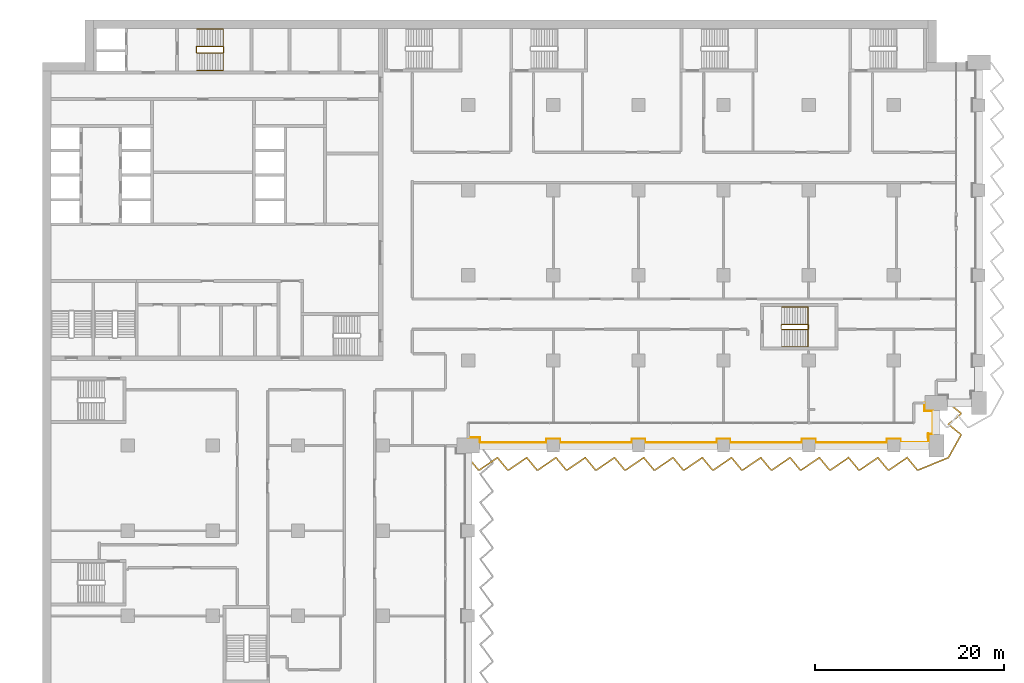
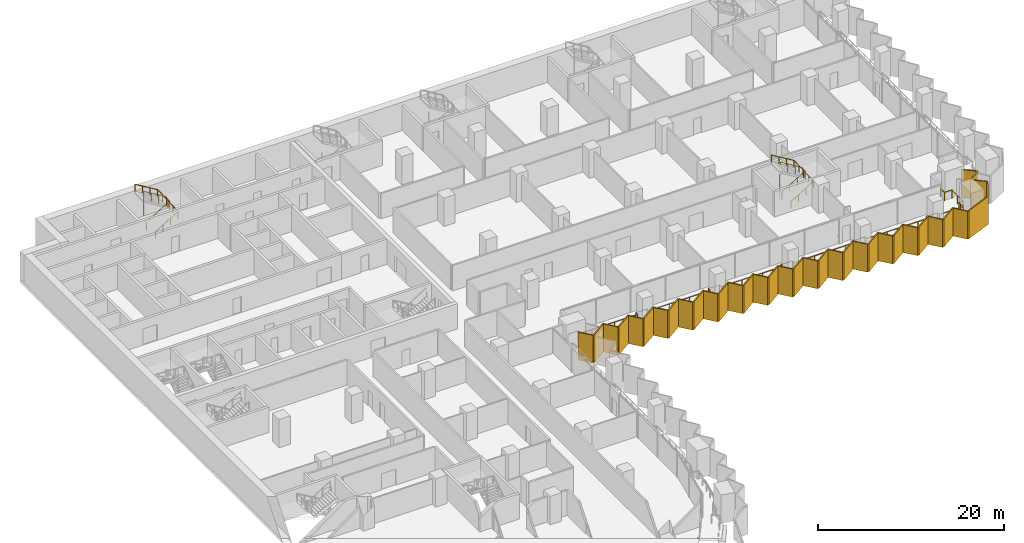
# One storey, part 26 of 28: 5 railings, 1 shading device.
"""IFC4 building model written with IfcOpenShell, lengths in metres."""

from ifc_helpers import new_model, si_unit, direction, frame, origin, origin_2d, place, context, subcontext, project, spatial, polyline, circle, outline, extrude, material, layer, layer_set, type_object, element, save


model = new_model("IFC4")

# Units and contexts
model_context = context("Model", 3, precision=1e-05, world=origin(), true_north=direction((0.0, 1.0)))
body_context = subcontext(model_context, "Body", "Model", "MODEL_VIEW")
ifc_project = project(units=[si_unit("LENGTHUNIT", "METRE"), si_unit("AREAUNIT", "SQUARE_METRE"), si_unit("VOLUMEUNIT", "CUBIC_METRE"), si_unit("PLANEANGLEUNIT", "RADIAN"), si_unit("MASSUNIT", "GRAM", prefix="KILO")], contexts=[model_context])

# Site, building, storey
site_placement = place(None, origin())
site = spatial("IfcSite", under=ifc_project, at=site_placement, CompositionType="ELEMENT")
building_placement = place(site_placement, origin())
building = spatial("IfcBuilding", under=site, at=building_placement, Name="Hunhe Ridgeline Campus", CompositionType="ELEMENT")
storey_placement = place(building_placement, frame((0.0, 0.0, 58.0)))
storey = spatial("IfcBuildingStorey", under=building, at=storey_placement, Name="L13", CompositionType="ELEMENT", Elevation=58.0)

# Railing
ifc_material_1 = material(Name="Steel Q355", Category="steel")
railing_type_1 = type_object("IfcRailingType", Name="Loggia guard 1100 Steel Q355", PredefinedType="GUARDRAIL", material=ifc_material_1)
railing_1_placement = place(storey_placement, frame((45.0, 54.8701171875, 0.0)))
element("IfcRailing", 1, at=railing_1_placement, inside=storey, type_object=railing_type_1, Name="Loggia guard 2", PredefinedType="GUARDRAIL", context=body_context, shape_type="SweptSolid", body=[
    extrude(circle(Radius=0.02392578125, at=origin_2d()), frame((0.0, 0.0, 1.076171875), z_axis=(1.0, 0.0, 0.0), x_axis=(0.0, 1.0, 0.0)), (0.0, 0.0, 1.0), 1.25),
    extrude(circle(Radius=0.02392578125, at=origin_2d()), frame((1.25, 0.0, 1.076171875), z_axis=(0.0, -1.0, 0.0), x_axis=(1.0, 0.0, 0.0)), (0.0, 0.0, 1.0), 0.52001953125),
    extrude(circle(Radius=0.02392578125, at=origin_2d()), frame((1.25, -0.52001953125, 1.076171875), z_axis=(1.0, 0.0, 0.0), x_axis=(0.0, 1.0, 0.0)), (0.0, 0.0, 1.0), 7.050048828125),
    extrude(circle(Radius=0.02392578125, at=origin_2d()), frame((8.300048828125, -0.52001953125, 1.076171875), z_axis=(0.0, 1.0, 0.0), x_axis=(-1.0, 0.0, 0.0)), (0.0, 0.0, 1.0), 0.369873046875),
    extrude(circle(Radius=0.02392578125, at=origin_2d()), frame((8.300048828125, -0.150146484375, 1.076171875), z_axis=(1.0, 0.0, 0.0), x_axis=(0.0, 1.0, 0.0)), (0.0, 0.0, 1.0), 1.39990234375),
    extrude(circle(Radius=0.02392578125, at=origin_2d()), frame((9.699951171875, -0.150146484375, 1.076171875), z_axis=(0.0, -1.0, 0.0), x_axis=(1.0, 0.0, 0.0)), (0.0, 0.0, 1.0), 0.369873046875),
    extrude(circle(Radius=0.02392578125, at=origin_2d()), frame((9.699951171875, -0.52001953125, 1.076171875), z_axis=(1.0, 0.0, 0.0), x_axis=(0.0, 1.0, 0.0)), (0.0, 0.0, 1.0), 7.60009765625),
    extrude(circle(Radius=0.02392578125, at=origin_2d()), frame((17.300048828125, -0.52001953125, 1.076171875), z_axis=(0.0, 1.0, 0.0), x_axis=(-1.0, 0.0, 0.0)), (0.0, 0.0, 1.0), 0.369873046875),
    extrude(circle(Radius=0.02392578125, at=origin_2d()), frame((17.300048828125, -0.150146484375, 1.076171875), z_axis=(1.0, 0.0, 0.0), x_axis=(0.0, 1.0, 0.0)), (0.0, 0.0, 1.0), 1.39990234375),
    extrude(circle(Radius=0.02392578125, at=origin_2d()), frame((18.699951171875, -0.150146484375, 1.076171875), z_axis=(0.0, -1.0, 0.0), x_axis=(1.0, 0.0, 0.0)), (0.0, 0.0, 1.0), 0.369873046875),
    extrude(circle(Radius=0.02392578125, at=origin_2d()), frame((18.699951171875, -0.52001953125, 1.076171875), z_axis=(1.0, 0.0, 0.0), x_axis=(0.0, 1.0, 0.0)), (0.0, 0.0, 1.0), 7.60009765625),
    extrude(circle(Radius=0.02392578125, at=origin_2d()), frame((26.300048828125, -0.52001953125, 1.076171875), z_axis=(0.0, 1.0, 0.0), x_axis=(-1.0, 0.0, 0.0)), (0.0, 0.0, 1.0), 0.369873046875),
    extrude(circle(Radius=0.02392578125, at=origin_2d()), frame((26.300048828125, -0.150146484375, 1.076171875), z_axis=(1.0, 0.0, 0.0), x_axis=(0.0, 1.0, 0.0)), (0.0, 0.0, 1.0), 1.39990234375),
    extrude(circle(Radius=0.02392578125, at=origin_2d()), frame((27.699951171875, -0.150146484375, 1.076171875), z_axis=(0.0, -1.0, 0.0), x_axis=(1.0, 0.0, 0.0)), (0.0, 0.0, 1.0), 0.369873046875),
    extrude(circle(Radius=0.02392578125, at=origin_2d()), frame((27.699951171875, -0.52001953125, 1.076171875), z_axis=(1.0, 0.0, 0.0), x_axis=(0.0, 1.0, 0.0)), (0.0, 0.0, 1.0), 7.60009765625),
    extrude(circle(Radius=0.02392578125, at=origin_2d()), frame((35.300048828125, -0.52001953125, 1.076171875), z_axis=(0.0, 1.0, 0.0), x_axis=(-1.0, 0.0, 0.0)), (0.0, 0.0, 1.0), 0.369873046875),
    extrude(circle(Radius=0.02392578125, at=origin_2d()), frame((35.300048828125, -0.150146484375, 1.076171875), z_axis=(1.0, 0.0, 0.0), x_axis=(0.0, 1.0, 0.0)), (0.0, 0.0, 1.0), 1.39990234375),
    extrude(circle(Radius=0.02392578125, at=origin_2d()), frame((36.699951171875, -0.150146484375, 1.076171875), z_axis=(0.0, -1.0, 0.0), x_axis=(1.0, 0.0, 0.0)), (0.0, 0.0, 1.0), 0.369873046875),
    extrude(circle(Radius=0.02392578125, at=origin_2d()), frame((36.699951171875, -0.52001953125, 1.076171875), z_axis=(1.0, 0.0, 0.0), x_axis=(0.0, 1.0, 0.0)), (0.0, 0.0, 1.0), 7.60009765625),
    extrude(circle(Radius=0.02392578125, at=origin_2d()), frame((44.300048828125, -0.52001953125, 1.076171875), z_axis=(0.0, 1.0, 0.0), x_axis=(-1.0, 0.0, 0.0)), (0.0, 0.0, 1.0), 0.369873046875),
    extrude(circle(Radius=0.02392578125, at=origin_2d()), frame((44.300048828125, -0.150146484375, 1.076171875), z_axis=(1.0, 0.0, 0.0), x_axis=(0.0, 1.0, 0.0)), (0.0, 0.0, 1.0), 1.39990234375),
    extrude(circle(Radius=0.02392578125, at=origin_2d()), frame((45.699951171875, -0.150146484375, 1.076171875), z_axis=(0.0, -1.0, 0.0), x_axis=(1.0, 0.0, 0.0)), (0.0, 0.0, 1.0), 0.369873046875),
    extrude(circle(Radius=0.02392578125, at=origin_2d()), frame((45.699951171875, -0.52001953125, 1.076171875), z_axis=(1.0, 0.0, 0.0), x_axis=(0.0, 1.0, 0.0)), (0.0, 0.0, 1.0), 2.949951171875),
    extrude(circle(Radius=0.02392578125, at=origin_2d()), frame((48.64990234375, -0.52001953125, 1.076171875), z_axis=(0.0, 1.0, 0.0), x_axis=(-1.0, 0.0, 0.0)), (0.0, 0.0, 1.0), 0.919921875),
    extrude(circle(Radius=0.02392578125, at=origin_2d()), frame((48.64990234375, 0.39990234375, 1.076171875), z_axis=(-0.049998438503, -0.998749295943, 0.0), x_axis=(0.998749295943, -0.049998438503, 0.0)), (0.0, 0.0, 1.0), 0.400390625),
    extrude(circle(Radius=0.02392578125, at=origin_2d()), frame((48.6298828125, 0.0, 1.076171875), z_axis=(0.0, 1.0, 0.0), x_axis=(-1.0, 0.0, 0.0)), (0.0, 0.0, 1.0), 0.3798828125),
    extrude(circle(Radius=0.02392578125, at=origin_2d()), frame((48.6298828125, 0.3798828125, 1.076171875), z_axis=(1.0, 0.0, 0.0), x_axis=(0.0, 1.0, 0.0)), (0.0, 0.0, 1.0), 0.52001953125),
    extrude(circle(Radius=0.02392578125, at=origin_2d()), frame((49.14990234375, 0.3798828125, 1.076171875), z_axis=(0.0, 1.0, 0.0), x_axis=(-1.0, 0.0, 0.0)), (0.0, 0.0, 1.0), 2.39990234375),
    extrude(circle(Radius=0.02392578125, at=origin_2d()), frame((49.14990234375, 2.77978515625, 1.076171875), z_axis=(-1.0, 0.0, 0.0), x_axis=(0.0, -1.0, 0.0)), (0.0, 0.0, 1.0), 0.919921875),
    extrude(circle(Radius=0.02392578125, at=origin_2d()), frame((48.22998046875, 2.77978515625, 1.076171875), z_axis=(0.0, 1.0, 0.0), x_axis=(-1.0, 0.0, 0.0)), (0.0, 0.0, 1.0), 0.85009765625),
    extrude(circle(Radius=0.02099609375, at=origin_2d()), origin(), (0.0, 0.0, 1.0), 1.052001953125),
    extrude(circle(Radius=0.02099609375, at=origin_2d()), frame((1.25, 0.0, 0.0)), (0.0, 0.0, 1.0), 1.052001953125),
    extrude(circle(Radius=0.02099609375, at=origin_2d()), frame((1.25, -0.52001953125, 0.0)), (0.0, 0.0, 1.0), 1.052001953125),
    extrude(circle(Radius=0.02099609375, at=origin_2d()), frame((2.659912109375, -0.52001953125, 0.0)), (0.0, 0.0, 1.0), 1.052001953125),
    extrude(circle(Radius=0.02099609375, at=origin_2d()), frame((4.070068359375, -0.52001953125, 0.0)), (0.0, 0.0, 1.0), 1.052001953125),
    extrude(circle(Radius=0.02099609375, at=origin_2d()), frame((5.47998046875, -0.52001953125, 0.0)), (0.0, 0.0, 1.0), 1.052001953125),
    extrude(circle(Radius=0.02099609375, at=origin_2d()), frame((6.89013671875, -0.52001953125, 0.0)), (0.0, 0.0, 1.0), 1.052001953125),
    extrude(circle(Radius=0.02099609375, at=origin_2d()), frame((8.300048828125, -0.52001953125, 0.0)), (0.0, 0.0, 1.0), 1.052001953125),
    extrude(circle(Radius=0.02099609375, at=origin_2d()), frame((8.300048828125, -0.150146484375, 0.0)), (0.0, 0.0, 1.0), 1.052001953125),
    extrude(circle(Radius=0.02099609375, at=origin_2d()), frame((9.699951171875, -0.150146484375, 0.0)), (0.0, 0.0, 1.0), 1.052001953125),
    extrude(circle(Radius=0.02099609375, at=origin_2d()), frame((9.699951171875, -0.52001953125, 0.0)), (0.0, 0.0, 1.0), 1.052001953125),
    extrude(circle(Radius=0.02099609375, at=origin_2d()), frame((10.966552734375, -0.52001953125, 0.0)), (0.0, 0.0, 1.0), 1.052001953125),
    extrude(circle(Radius=0.02099609375, at=origin_2d()), frame((12.2333984375, -0.52001953125, 0.0)), (0.0, 0.0, 1.0), 1.052001953125),
    extrude(circle(Radius=0.02099609375, at=origin_2d()), frame((13.5, -0.52001953125, 0.0)), (0.0, 0.0, 1.0), 1.052001953125),
    extrude(circle(Radius=0.02099609375, at=origin_2d()), frame((14.7666015625, -0.52001953125, 0.0)), (0.0, 0.0, 1.0), 1.052001953125),
    extrude(circle(Radius=0.02099609375, at=origin_2d()), frame((16.033447265625, -0.52001953125, 0.0)), (0.0, 0.0, 1.0), 1.052001953125),
    extrude(circle(Radius=0.02099609375, at=origin_2d()), frame((17.300048828125, -0.52001953125, 0.0)), (0.0, 0.0, 1.0), 1.052001953125),
    extrude(circle(Radius=0.02099609375, at=origin_2d()), frame((17.300048828125, -0.150146484375, 0.0)), (0.0, 0.0, 1.0), 1.052001953125),
    extrude(circle(Radius=0.02099609375, at=origin_2d()), frame((18.699951171875, -0.150146484375, 0.0)), (0.0, 0.0, 1.0), 1.052001953125),
    extrude(circle(Radius=0.02099609375, at=origin_2d()), frame((18.699951171875, -0.52001953125, 0.0)), (0.0, 0.0, 1.0), 1.052001953125),
    extrude(circle(Radius=0.02099609375, at=origin_2d()), frame((19.966552734375, -0.52001953125, 0.0)), (0.0, 0.0, 1.0), 1.052001953125),
    extrude(circle(Radius=0.02099609375, at=origin_2d()), frame((21.2333984375, -0.52001953125, 0.0)), (0.0, 0.0, 1.0), 1.052001953125),
    extrude(circle(Radius=0.02099609375, at=origin_2d()), frame((22.5, -0.52001953125, 0.0)), (0.0, 0.0, 1.0), 1.052001953125),
    extrude(circle(Radius=0.02099609375, at=origin_2d()), frame((23.7666015625, -0.52001953125, 0.0)), (0.0, 0.0, 1.0), 1.052001953125),
    extrude(circle(Radius=0.02099609375, at=origin_2d()), frame((25.033447265625, -0.52001953125, 0.0)), (0.0, 0.0, 1.0), 1.052001953125),
    extrude(circle(Radius=0.02099609375, at=origin_2d()), frame((26.300048828125, -0.52001953125, 0.0)), (0.0, 0.0, 1.0), 1.052001953125),
    extrude(circle(Radius=0.02099609375, at=origin_2d()), frame((26.300048828125, -0.150146484375, 0.0)), (0.0, 0.0, 1.0), 1.052001953125),
    extrude(circle(Radius=0.02099609375, at=origin_2d()), frame((27.699951171875, -0.150146484375, 0.0)), (0.0, 0.0, 1.0), 1.052001953125),
    extrude(circle(Radius=0.02099609375, at=origin_2d()), frame((27.699951171875, -0.52001953125, 0.0)), (0.0, 0.0, 1.0), 1.052001953125),
    extrude(circle(Radius=0.02099609375, at=origin_2d()), frame((28.966552734375, -0.52001953125, 0.0)), (0.0, 0.0, 1.0), 1.052001953125),
    extrude(circle(Radius=0.02099609375, at=origin_2d()), frame((30.2333984375, -0.52001953125, 0.0)), (0.0, 0.0, 1.0), 1.052001953125),
    extrude(circle(Radius=0.02099609375, at=origin_2d()), frame((31.5, -0.52001953125, 0.0)), (0.0, 0.0, 1.0), 1.052001953125),
    extrude(circle(Radius=0.02099609375, at=origin_2d()), frame((32.7666015625, -0.52001953125, 0.0)), (0.0, 0.0, 1.0), 1.052001953125),
    extrude(circle(Radius=0.02099609375, at=origin_2d()), frame((34.033447265625, -0.52001953125, 0.0)), (0.0, 0.0, 1.0), 1.052001953125),
    extrude(circle(Radius=0.02099609375, at=origin_2d()), frame((35.300048828125, -0.52001953125, 0.0)), (0.0, 0.0, 1.0), 1.052001953125),
    extrude(circle(Radius=0.02099609375, at=origin_2d()), frame((35.300048828125, -0.150146484375, 0.0)), (0.0, 0.0, 1.0), 1.052001953125),
    extrude(circle(Radius=0.02099609375, at=origin_2d()), frame((36.699951171875, -0.150146484375, 0.0)), (0.0, 0.0, 1.0), 1.052001953125),
    extrude(circle(Radius=0.02099609375, at=origin_2d()), frame((36.699951171875, -0.52001953125, 0.0)), (0.0, 0.0, 1.0), 1.052001953125),
    extrude(circle(Radius=0.02099609375, at=origin_2d()), frame((37.966552734375, -0.52001953125, 0.0)), (0.0, 0.0, 1.0), 1.052001953125),
    extrude(circle(Radius=0.02099609375, at=origin_2d()), frame((39.2333984375, -0.52001953125, 0.0)), (0.0, 0.0, 1.0), 1.052001953125),
    extrude(circle(Radius=0.02099609375, at=origin_2d()), frame((40.5, -0.52001953125, 0.0)), (0.0, 0.0, 1.0), 1.052001953125),
    extrude(circle(Radius=0.02099609375, at=origin_2d()), frame((41.7666015625, -0.52001953125, 0.0)), (0.0, 0.0, 1.0), 1.052001953125),
    extrude(circle(Radius=0.02099609375, at=origin_2d()), frame((43.033447265625, -0.52001953125, 0.0)), (0.0, 0.0, 1.0), 1.052001953125),
    extrude(circle(Radius=0.02099609375, at=origin_2d()), frame((44.300048828125, -0.52001953125, 0.0)), (0.0, 0.0, 1.0), 1.052001953125),
    extrude(circle(Radius=0.02099609375, at=origin_2d()), frame((44.300048828125, -0.150146484375, 0.0)), (0.0, 0.0, 1.0), 1.052001953125),
    extrude(circle(Radius=0.02099609375, at=origin_2d()), frame((45.699951171875, -0.150146484375, 0.0)), (0.0, 0.0, 1.0), 1.052001953125),
    extrude(circle(Radius=0.02099609375, at=origin_2d()), frame((45.699951171875, -0.52001953125, 0.0)), (0.0, 0.0, 1.0), 1.052001953125),
    extrude(circle(Radius=0.02099609375, at=origin_2d()), frame((47.1748046875, -0.52001953125, 0.0)), (0.0, 0.0, 1.0), 1.052001953125),
    extrude(circle(Radius=0.02099609375, at=origin_2d()), frame((48.64990234375, -0.52001953125, 0.0)), (0.0, 0.0, 1.0), 1.052001953125),
    extrude(circle(Radius=0.02099609375, at=origin_2d()), frame((48.64990234375, 0.39990234375, 0.0)), (0.0, 0.0, 1.0), 1.052001953125),
    extrude(circle(Radius=0.02099609375, at=origin_2d()), frame((48.6298828125, 0.0, 0.0)), (0.0, 0.0, 1.0), 1.052001953125),
    extrude(circle(Radius=0.02099609375, at=origin_2d()), frame((48.6298828125, 0.3798828125, 0.0)), (0.0, 0.0, 1.0), 1.052001953125),
    extrude(circle(Radius=0.02099609375, at=origin_2d()), frame((49.14990234375, 0.3798828125, 0.0)), (0.0, 0.0, 1.0), 1.052001953125),
    extrude(circle(Radius=0.02099609375, at=origin_2d()), frame((49.14990234375, 1.579833984375, 0.0)), (0.0, 0.0, 1.0), 1.052001953125),
    extrude(circle(Radius=0.02099609375, at=origin_2d()), frame((49.14990234375, 2.77978515625, 0.0)), (0.0, 0.0, 1.0), 1.052001953125),
    extrude(circle(Radius=0.02099609375, at=origin_2d()), frame((48.22998046875, 2.77978515625, 0.0)), (0.0, 0.0, 1.0), 1.052001953125),
    extrude(circle(Radius=0.02099609375, at=origin_2d()), frame((48.22998046875, 3.6298828125, 0.0)), (0.0, 0.0, 1.0), 1.052001953125),
])

# Shading device
ifc_material_2 = material(Name="Concrete C50", Category="concrete")
ifc_layer = layer(ifc_material_2, 0.14990234375)
ifc_layer_set = layer_set([ifc_layer], Name="Sawtooth concrete fin 150 Concrete C50")
shading_device_type = type_object("IfcShadingDeviceType", Name="Sawtooth concrete fin 150 Concrete C50", PredefinedType="USERDEFINED", material=ifc_layer_set)
shading_device_placement = place(storey_placement, frame((0.0, 0.0, -0.949951171875)))
element("IfcShadingDevice", 2, at=shading_device_placement, inside=storey, type_object=shading_device_type, Name="Concrete fin screen 2", ObjectType="FIN", PredefinedType="USERDEFINED", context=body_context, shape_type="SweptSolid", body=[
    extrude(outline(polyline([(45.057861328125, 52.772705078125), (44.942138671875, 52.67724609375), (46.037353515625, 51.35009765625), (46.2158203125, 51.35009765625), (48.07958984375, 52.62451171875), (49.131103515625, 51.35009765625), (49.3095703125, 51.35009765625), (51.17333984375, 52.62451171875), (52.224853515625, 51.35009765625), (52.4033203125, 51.35009765625), (54.26708984375, 52.62451171875), (55.318603515625, 51.35009765625), (55.4970703125, 51.35009765625), (57.36083984375, 52.62451171875), (58.412353515625, 51.35009765625), (58.5908203125, 51.35009765625), (60.45458984375, 52.62451171875), (61.506103515625, 51.35009765625), (61.6845703125, 51.35009765625), (63.54833984375, 52.62451171875), (64.599853515625, 51.35009765625), (64.7783203125, 51.35009765625), (66.64208984375, 52.62451171875), (67.693603515625, 51.35009765625), (67.8720703125, 51.35009765625), (69.73583984375, 52.62451171875), (70.787353515625, 51.35009765625), (70.9658203125, 51.35009765625), (72.82958984375, 52.62451171875), (73.881103515625, 51.35009765625), (74.0595703125, 51.35009765625), (75.92333984375, 52.62451171875), (76.974853515625, 51.35009765625), (77.1533203125, 51.35009765625), (79.01708984375, 52.62451171875), (80.068603515625, 51.35009765625), (80.2470703125, 51.35009765625), (82.11083984375, 52.62451171875), (83.162353515625, 51.35009765625), (83.3408203125, 51.35009765625), (85.20458984375, 52.62451171875), (86.256103515625, 51.35009765625), (86.4345703125, 51.35009765625), (88.29833984375, 52.62451171875), (89.349853515625, 51.35009765625), (89.5283203125, 51.35009765625), (91.39208984375, 52.62451171875), (92.443603515625, 51.35009765625), (92.613525390625, 51.35009765625), (95.827880859375, 52.66552734375), (97.14990234375, 55.05322265625), (97.14990234375, 55.228271484375), (95.893310546875, 56.25048828125), (97.14990234375, 57.287353515625), (97.14990234375, 57.478271484375), (95.822265625, 58.55810546875), (95.727783203125, 58.44189453125), (97.0, 57.406982421875), (97.0, 57.35791015625), (95.65673828125, 56.24951171875), (97.0, 55.156982421875), (97.0, 55.092041015625), (95.72216796875, 52.784423828125), (92.583984375, 51.5), (92.51416015625, 51.5), (91.42041015625, 52.82568359375), (89.48193359375, 51.5), (89.42041015625, 51.5), (88.32666015625, 52.82568359375), (86.38818359375, 51.5), (86.32666015625, 51.5), (85.23291015625, 52.82568359375), (83.29443359375, 51.5), (83.23291015625, 51.5), (82.13916015625, 52.82568359375), (80.20068359375, 51.5), (80.13916015625, 51.5), (79.04541015625, 52.82568359375), (77.10693359375, 51.5), (77.04541015625, 51.5), (75.95166015625, 52.82568359375), (74.01318359375, 51.5), (73.95166015625, 51.5), (72.85791015625, 52.82568359375), (70.91943359375, 51.5), (70.85791015625, 51.5), (69.76416015625, 52.82568359375), (67.82568359375, 51.5), (67.76416015625, 51.5), (66.67041015625, 52.82568359375), (64.73193359375, 51.5), (64.67041015625, 51.5), (63.57666015625, 52.82568359375), (61.63818359375, 51.5), (61.57666015625, 51.5), (60.48291015625, 52.82568359375), (58.54443359375, 51.5), (58.48291015625, 51.5), (57.38916015625, 52.82568359375), (55.45068359375, 51.5), (55.38916015625, 51.5), (54.29541015625, 52.82568359375), (52.35693359375, 51.5), (52.29541015625, 51.5), (51.20166015625, 52.82568359375), (49.26318359375, 51.5), (49.20166015625, 51.5), (48.10791015625, 52.82568359375), (46.16943359375, 51.5), (46.10791015625, 51.5), (45.057861328125, 52.772705078125)])), origin(), (0.0, 0.0, 1.0), 3.64990234375),
])

# Railings
ifc_material_3 = material(Name="Stainless steel balustrade", Category="steel")
railing_type_2 = type_object("IfcRailingType", Name="Stair guard 1100 stainless", PredefinedType="GUARDRAIL", material=ifc_material_3)
railing_2_placement = place(storey_placement, frame((16.300048828125, 95.5, 0.168212890625)))
element("IfcRailing", 3, at=railing_2_placement, inside=storey, type_object=railing_type_2, Name="L13 stair S1 guard", PredefinedType="GUARDRAIL", context=body_context, shape_type="SweptSolid", body=[
    extrude(circle(Radius=0.02392578125, at=origin_2d()), frame((0.0, 0.0, 1.076171875), z_axis=(0.857242210791, 0.0, 0.514913383045), x_axis=(0.0, 1.0, 0.0)), (0.0, 0.0, 1.0), 3.266357421875),
    extrude(circle(Radius=0.02392578125, at=origin_2d()), frame((2.800048828125, 0.0, 2.7578125), z_axis=(0.705375805398, 0.708833529934, 0.0), x_axis=(-0.708833529934, 0.705375805398, 0.0)), (0.0, 0.0, 1.0), 0.070556640625),
    extrude(circle(Radius=0.02392578125, at=origin_2d()), frame((2.849853515625, 0.050048828125, 2.7578125), z_axis=(0.0, 1.0, 0.0), x_axis=(-1.0, 0.0, 0.0)), (0.0, 0.0, 1.0), 0.599853515625),
    extrude(circle(Radius=0.02392578125, at=origin_2d()), frame((2.849853515625, 0.64990234375, 2.7578125), z_axis=(-0.273343290215, 0.274683208305, 0.921863645432), x_axis=(-0.708833529934, -0.705375805398, 0.0)), (0.0, 0.0, 1.0), 0.18212890625),
    extrude(circle(Radius=0.02392578125, at=origin_2d()), frame((2.800048828125, 0.699951171875, 2.92578125), z_axis=(-0.857242210791, 0.0, 0.514913383045), x_axis=(0.0, -1.0, 0.0)), (0.0, 0.0, 1.0), 3.266357421875),
    extrude(circle(Radius=0.02392578125, at=origin_2d()), frame((0.0, 0.699951171875, 4.60791015625), z_axis=(-0.013524414389, -0.013524414389, -0.999817073484), x_axis=(0.707106781187, -0.707106781187, 0.0)), (0.0, 0.0, 1.0), 3.70068359375),
    extrude(circle(Radius=0.02392578125, at=origin_2d()), frame((-0.050048828125, 0.64990234375, 0.90771484375), z_axis=(0.0, -1.0, 0.0), x_axis=(1.0, 0.0, 0.0)), (0.0, 0.0, 1.0), 0.599853515625),
    extrude(circle(Radius=0.02099609375, at=origin_2d()), origin(), (0.0, 0.0, 1.0), 1.052001953125),
    extrude(circle(Radius=0.02099609375, at=origin_2d()), frame((0.933349609375, 0.0, 0.560546875)), (0.0, 0.0, 1.0), 1.052001953125),
    extrude(circle(Radius=0.02099609375, at=origin_2d()), frame((1.86669921875, 0.0, 1.121337890625)), (0.0, 0.0, 1.0), 1.052001953125),
    extrude(circle(Radius=0.02099609375, at=origin_2d()), frame((2.800048828125, 0.0, 1.681884765625)), (0.0, 0.0, 1.0), 1.052001953125),
    extrude(circle(Radius=0.02099609375, at=origin_2d()), frame((2.849853515625, 0.050048828125, 1.681884765625)), (0.0, 0.0, 1.0), 1.052001953125),
    extrude(circle(Radius=0.02099609375, at=origin_2d()), frame((2.849853515625, 0.64990234375, 1.681884765625)), (0.0, 0.0, 1.0), 1.052001953125),
    extrude(circle(Radius=0.02099609375, at=origin_2d()), frame((2.800048828125, 0.699951171875, 1.849853515625)), (0.0, 0.0, 1.0), 1.052001953125),
    extrude(circle(Radius=0.02099609375, at=origin_2d()), frame((1.86669921875, 0.699951171875, 2.410400390625)), (0.0, 0.0, 1.0), 1.052001953125),
    extrude(circle(Radius=0.02099609375, at=origin_2d()), frame((0.933349609375, 0.699951171875, 2.97119140625)), (0.0, 0.0, 1.0), 1.052001953125),
    extrude(circle(Radius=0.02099609375, at=origin_2d()), frame((0.0, 0.699951171875, 3.53173828125)), (0.0, 0.0, 1.0), 1.052001953125),
    extrude(circle(Radius=0.02099609375, at=origin_2d()), frame((-0.012451171875, 0.6875, 2.606689453125)), (0.0, 0.0, 1.0), 1.052001953125),
    extrude(circle(Radius=0.02099609375, at=origin_2d()), frame((-0.02490234375, 0.6748046875, 1.681640625)), (0.0, 0.0, 1.0), 1.052001953125),
    extrude(circle(Radius=0.02099609375, at=origin_2d()), frame((-0.03759765625, 0.662353515625, 0.7568359375)), (0.0, 0.0, 1.0), 1.052001953125),
    extrude(circle(Radius=0.02099609375, at=origin_2d()), frame((-0.050048828125, 0.64990234375, -0.168212890625)), (0.0, 0.0, 1.0), 1.052001953125),
    extrude(circle(Radius=0.02099609375, at=origin_2d()), frame((-0.050048828125, 0.050048828125, -0.168212890625)), (0.0, 0.0, 1.0), 1.052001953125),
])
railing_3_placement = place(storey_placement, frame((78.14990234375, 66.300048828125, 0.168212890625)))
element("IfcRailing", 4, at=railing_3_placement, inside=storey, type_object=railing_type_2, Name="L13 stair E5 guard", PredefinedType="GUARDRAIL", context=body_context, shape_type="SweptSolid", body=[
    extrude(circle(Radius=0.02392578125, at=origin_2d()), frame((0.0, 0.0, 1.076171875), z_axis=(0.857242210791, 0.0, 0.514913383045), x_axis=(0.0, 1.0, 0.0)), (0.0, 0.0, 1.0), 3.266357421875),
    extrude(circle(Radius=0.02392578125, at=origin_2d()), frame((2.800048828125, 0.0, 2.7578125), z_axis=(0.707106781187, 0.707106781187, 0.0), x_axis=(-0.707106781187, 0.707106781187, 0.0)), (0.0, 0.0, 1.0), 0.07080078125),
    extrude(circle(Radius=0.02392578125, at=origin_2d()), frame((2.85009765625, 0.050048828125, 2.7578125), z_axis=(0.0, 1.0, 0.0), x_axis=(-1.0, 0.0, 0.0)), (0.0, 0.0, 1.0), 0.39990234375),
    extrude(circle(Radius=0.02392578125, at=origin_2d()), frame((2.85009765625, 0.449951171875, 2.7578125), z_axis=(-0.274582412415, 0.274582412415, 0.921525364591), x_axis=(-0.707106781187, -0.707106781187, 0.0)), (0.0, 0.0, 1.0), 0.182373046875),
    extrude(circle(Radius=0.02392578125, at=origin_2d()), frame((2.800048828125, 0.5, 2.92578125), z_axis=(-0.857242210791, 0.0, 0.514913383045), x_axis=(0.0, -1.0, 0.0)), (0.0, 0.0, 1.0), 3.266357421875),
    extrude(circle(Radius=0.02392578125, at=origin_2d()), frame((0.0, 0.5, 4.60791015625), z_axis=(-0.013458453615, -0.013524426427, -0.999817963389), x_axis=(0.708833529934, -0.705375805398, 0.0)), (0.0, 0.0, 1.0), 3.70068359375),
    extrude(circle(Radius=0.02392578125, at=origin_2d()), frame((-0.0498046875, 0.449951171875, 0.90771484375), z_axis=(0.0, -1.0, 0.0), x_axis=(1.0, 0.0, 0.0)), (0.0, 0.0, 1.0), 0.39990234375),
    extrude(circle(Radius=0.02099609375, at=origin_2d()), origin(), (0.0, 0.0, 1.0), 1.052001953125),
    extrude(circle(Radius=0.02099609375, at=origin_2d()), frame((0.933349609375, 0.0, 0.560546875)), (0.0, 0.0, 1.0), 1.052001953125),
    extrude(circle(Radius=0.02099609375, at=origin_2d()), frame((1.86669921875, 0.0, 1.121337890625)), (0.0, 0.0, 1.0), 1.052001953125),
    extrude(circle(Radius=0.02099609375, at=origin_2d()), frame((2.800048828125, 0.0, 1.681884765625)), (0.0, 0.0, 1.0), 1.052001953125),
    extrude(circle(Radius=0.02099609375, at=origin_2d()), frame((2.85009765625, 0.050048828125, 1.681884765625)), (0.0, 0.0, 1.0), 1.052001953125),
    extrude(circle(Radius=0.02099609375, at=origin_2d()), frame((2.85009765625, 0.449951171875, 1.681884765625)), (0.0, 0.0, 1.0), 1.052001953125),
    extrude(circle(Radius=0.02099609375, at=origin_2d()), frame((2.800048828125, 0.5, 1.849853515625)), (0.0, 0.0, 1.0), 1.052001953125),
    extrude(circle(Radius=0.02099609375, at=origin_2d()), frame((1.86669921875, 0.5, 2.410400390625)), (0.0, 0.0, 1.0), 1.052001953125),
    extrude(circle(Radius=0.02099609375, at=origin_2d()), frame((0.933349609375, 0.5, 2.97119140625)), (0.0, 0.0, 1.0), 1.052001953125),
    extrude(circle(Radius=0.02099609375, at=origin_2d()), frame((0.0, 0.5, 3.53173828125)), (0.0, 0.0, 1.0), 1.052001953125),
    extrude(circle(Radius=0.02099609375, at=origin_2d()), frame((-0.012451171875, 0.487548828125, 2.606689453125)), (0.0, 0.0, 1.0), 1.052001953125),
    extrude(circle(Radius=0.02099609375, at=origin_2d()), frame((-0.02490234375, 0.47509765625, 1.681640625)), (0.0, 0.0, 1.0), 1.052001953125),
    extrude(circle(Radius=0.02099609375, at=origin_2d()), frame((-0.037353515625, 0.46240234375, 0.7568359375)), (0.0, 0.0, 1.0), 1.052001953125),
    extrude(circle(Radius=0.02099609375, at=origin_2d()), frame((-0.0498046875, 0.449951171875, -0.168212890625)), (0.0, 0.0, 1.0), 1.052001953125),
    extrude(circle(Radius=0.02099609375, at=origin_2d()), frame((-0.0498046875, 0.050048828125, -0.168212890625)), (0.0, 0.0, 1.0), 1.052001953125),
])
ifc_material_4 = material(Name="Stainless steel handrail", Category="steel")
railing_type_3 = type_object("IfcRailingType", Name="Stair handrail 900 stainless", PredefinedType="HANDRAIL", material=ifc_material_4)
railing_4_placement = place(storey_placement, frame((16.300048828125, 93.64990234375, 0.168212890625)))
element("IfcRailing", 5, at=railing_4_placement, inside=storey, type_object=railing_type_3, Name="L13 stair S1 handrail", PredefinedType="HANDRAIL", context=body_context, shape_type="SweptSolid", body=[
    extrude(circle(Radius=0.02392578125, at=origin_2d()), frame((0.0, 0.0, 0.8759765625), z_axis=(0.857242210791, 0.0, 0.514913383045), x_axis=(0.0, 1.0, 0.0)), (0.0, 0.0, 1.0), 3.266357421875),
    extrude(circle(Radius=0.02392578125, at=origin_2d()), frame((2.800048828125, 0.0, 2.5576171875), z_axis=(0.0, 0.999272189381, 0.038145662004), x_axis=(-1.0, 0.0, 0.0)), (0.0, 0.0, 1.0), 4.4033203125),
    extrude(circle(Radius=0.02392578125, at=origin_2d()), frame((2.800048828125, 4.400146484375, 2.7255859375), z_axis=(-0.857242210791, 0.0, 0.514913383045), x_axis=(0.0, -1.0, 0.0)), (0.0, 0.0, 1.0), 3.266357421875),
    extrude(circle(Radius=0.02099609375, at=origin_2d()), origin(), (0.0, 0.0, 1.0), 0.851806640625),
    extrude(circle(Radius=0.02099609375, at=origin_2d()), frame((0.933349609375, 0.0, 0.560546875)), (0.0, 0.0, 1.0), 0.851806640625),
    extrude(circle(Radius=0.02099609375, at=origin_2d()), frame((1.86669921875, 0.0, 1.121337890625)), (0.0, 0.0, 1.0), 0.851806640625),
    extrude(circle(Radius=0.02099609375, at=origin_2d()), frame((2.800048828125, 0.0, 1.681884765625)), (0.0, 0.0, 1.0), 0.851806640625),
    extrude(circle(Radius=0.02099609375, at=origin_2d()), frame((2.800048828125, 1.10009765625, 1.723876953125)), (0.0, 0.0, 1.0), 0.851806640625),
    extrude(circle(Radius=0.02099609375, at=origin_2d()), frame((2.800048828125, 2.2001953125, 1.765869140625)), (0.0, 0.0, 1.0), 0.851806640625),
    extrude(circle(Radius=0.02099609375, at=origin_2d()), frame((2.800048828125, 3.300048828125, 1.807861328125)), (0.0, 0.0, 1.0), 0.851806640625),
    extrude(circle(Radius=0.02099609375, at=origin_2d()), frame((2.800048828125, 4.400146484375, 1.849853515625)), (0.0, 0.0, 1.0), 0.851806640625),
    extrude(circle(Radius=0.02099609375, at=origin_2d()), frame((1.86669921875, 4.400146484375, 2.410400390625)), (0.0, 0.0, 1.0), 0.851806640625),
    extrude(circle(Radius=0.02099609375, at=origin_2d()), frame((0.933349609375, 4.400146484375, 2.97119140625)), (0.0, 0.0, 1.0), 0.851806640625),
    extrude(circle(Radius=0.02099609375, at=origin_2d()), frame((0.0, 4.400146484375, 3.53173828125)), (0.0, 0.0, 1.0), 0.851806640625),
])
railing_5_placement = place(storey_placement, frame((78.14990234375, 64.449951171875, 0.168212890625)))
element("IfcRailing", 6, at=railing_5_placement, inside=storey, type_object=railing_type_3, Name="L13 stair E5 handrail", PredefinedType="HANDRAIL", context=body_context, shape_type="SweptSolid", body=[
    extrude(circle(Radius=0.02392578125, at=origin_2d()), frame((0.0, 0.0, 0.8759765625), z_axis=(0.857242210791, 0.0, 0.514913383045), x_axis=(0.0, 1.0, 0.0)), (0.0, 0.0, 1.0), 3.266357421875),
    extrude(circle(Radius=0.02392578125, at=origin_2d()), frame((2.800048828125, 0.0, 2.5576171875), z_axis=(0.0, 0.99920123705, 0.039961079526), x_axis=(-1.0, 0.0, 0.0)), (0.0, 0.0, 1.0), 4.203369140625),
    extrude(circle(Radius=0.02392578125, at=origin_2d()), frame((2.800048828125, 4.199951171875, 2.7255859375), z_axis=(-0.857242210791, 0.0, 0.514913383045), x_axis=(0.0, -1.0, 0.0)), (0.0, 0.0, 1.0), 3.266357421875),
    extrude(circle(Radius=0.02099609375, at=origin_2d()), origin(), (0.0, 0.0, 1.0), 0.851806640625),
    extrude(circle(Radius=0.02099609375, at=origin_2d()), frame((0.933349609375, 0.0, 0.560546875)), (0.0, 0.0, 1.0), 0.851806640625),
    extrude(circle(Radius=0.02099609375, at=origin_2d()), frame((1.86669921875, 0.0, 1.121337890625)), (0.0, 0.0, 1.0), 0.851806640625),
    extrude(circle(Radius=0.02099609375, at=origin_2d()), frame((2.800048828125, 0.0, 1.681884765625)), (0.0, 0.0, 1.0), 0.851806640625),
    extrude(circle(Radius=0.02099609375, at=origin_2d()), frame((2.800048828125, 1.050048828125, 1.723876953125)), (0.0, 0.0, 1.0), 0.851806640625),
    extrude(circle(Radius=0.02099609375, at=origin_2d()), frame((2.800048828125, 2.10009765625, 1.765869140625)), (0.0, 0.0, 1.0), 0.851806640625),
    extrude(circle(Radius=0.02099609375, at=origin_2d()), frame((2.800048828125, 3.14990234375, 1.807861328125)), (0.0, 0.0, 1.0), 0.851806640625),
    extrude(circle(Radius=0.02099609375, at=origin_2d()), frame((2.800048828125, 4.199951171875, 1.849853515625)), (0.0, 0.0, 1.0), 0.851806640625),
    extrude(circle(Radius=0.02099609375, at=origin_2d()), frame((1.86669921875, 4.199951171875, 2.410400390625)), (0.0, 0.0, 1.0), 0.851806640625),
    extrude(circle(Radius=0.02099609375, at=origin_2d()), frame((0.933349609375, 4.199951171875, 2.97119140625)), (0.0, 0.0, 1.0), 0.851806640625),
    extrude(circle(Radius=0.02099609375, at=origin_2d()), frame((0.0, 4.199951171875, 3.53173828125)), (0.0, 0.0, 1.0), 0.851806640625),
])

save(model, "model.ifc")
